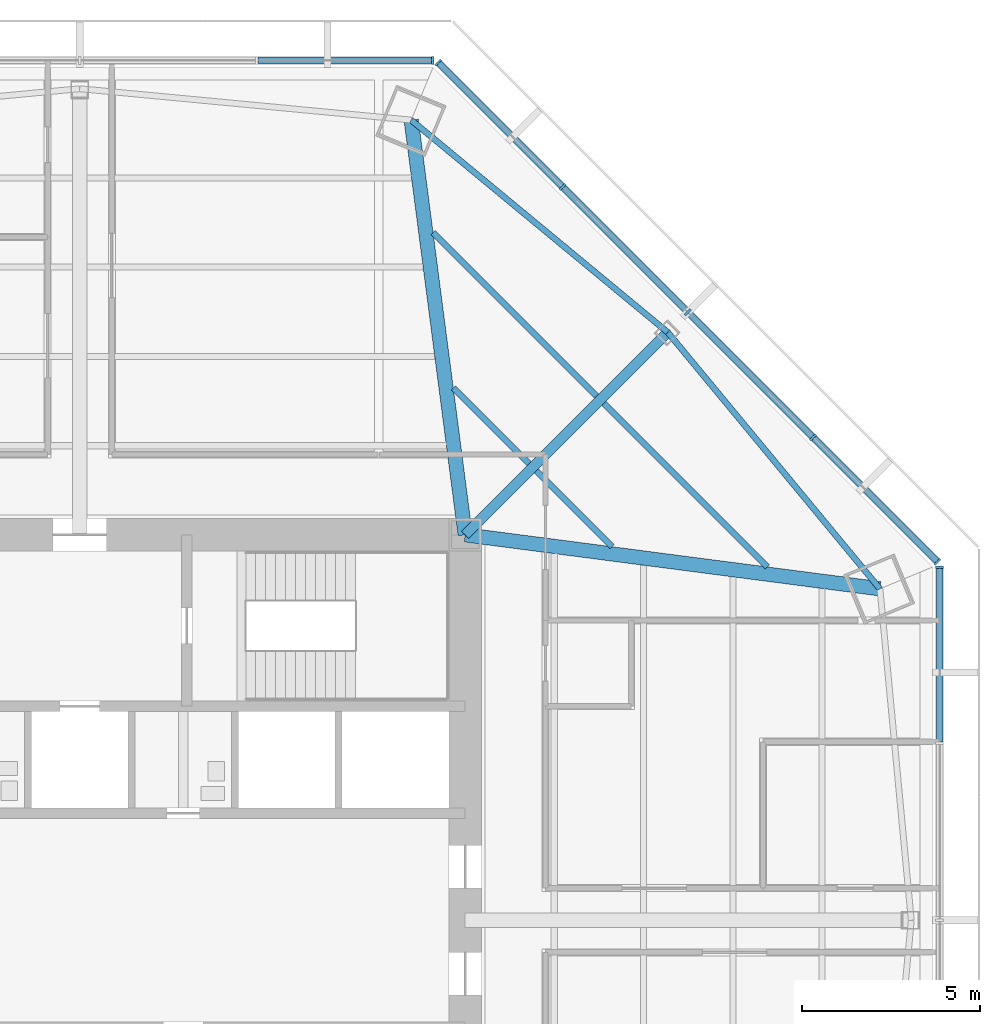
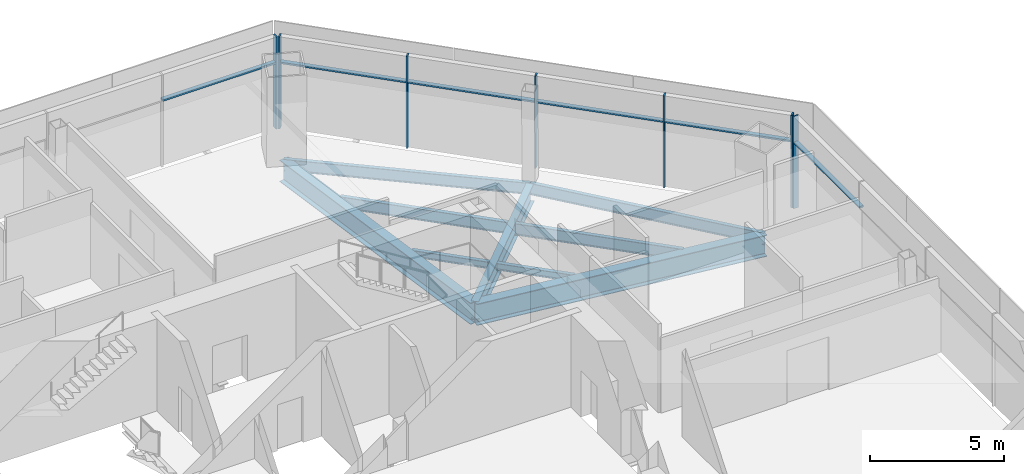
# One storey, part 6 of 14: 13 members, 9 beams, 3 elements without a shape of their own.
"""IFC4 building model written with IfcOpenShell, lengths in metres."""

from ifc_helpers import new_model, si_unit, direction, frame, origin, origin_2d, place, context, subcontext, project, spatial, rectangle, i_section, extrude, source, transform, mapped, material, material_profile, profile_set, type_object, type_shapes, element, aggregate, save


model = new_model("IFC4")

# Units and contexts
model_context = context("Model", 3, precision=1e-05, world=origin(), true_north=direction((0.0, 1.0)))
body_context = subcontext(model_context, "Body", "Model", "MODEL_VIEW")
ifc_project = project(units=[si_unit("LENGTHUNIT", "METRE"), si_unit("AREAUNIT", "SQUARE_METRE"), si_unit("VOLUMEUNIT", "CUBIC_METRE"), si_unit("PLANEANGLEUNIT", "RADIAN"), si_unit("MASSUNIT", "GRAM", prefix="KILO")], contexts=[model_context])

# Site, building, storey
site_placement = place(None, origin())
site = spatial("IfcSite", under=ifc_project, at=site_placement, CompositionType="ELEMENT")
building_placement = place(site_placement, origin())
building = spatial("IfcBuilding", under=site, at=building_placement, Name="Mashrafa Tower", CompositionType="ELEMENT")
storey_placement = place(building_placement, frame((0.0, 0.0, 138.60009765625)))
storey = spatial("IfcBuildingStorey", under=building, at=storey_placement, Name="L31", CompositionType="ELEMENT", Elevation=138.60009765625)

# Beams
ifc_material_1 = material(Name="Steel ASTM A992", Category="steel")
ifc_material_profile_1 = material_profile(ifc_material_1, i_section(OverallWidth=0.164794921875, OverallDepth=0.309814453125, WebThickness=0.005859375, FlangeThickness=0.009765625, FilletRadius=0.007568359375, at=origin_2d()), Name="W12X26")
ifc_profile_set_1 = profile_set([ifc_material_profile_1], Name="Steel ASTM A992")
beam_type_1 = type_object("IfcBeamType", Name="Beam W12X26", PredefinedType="BEAM", material=ifc_profile_set_1)
for number, where, z_axis, x_axis, name in (
    (1, (10.46630859375, 14.916748046875, -0.320068359375), (0.707106781187, -0.707106781187, 0.0), (0.707106781187, 0.707106781187, 0.0), "Floor beam L31 033"),
    (2, (12.794921875, 12.588134765625, -0.320068359375), (0.707106781187, -0.707106781187, 0.0), (0.707106781187, 0.707106781187, 0.0), "Floor beam L31 036"),
):
    element("IfcBeam", number, at=place(storey_placement, frame(where, z_axis=z_axis, x_axis=x_axis)), inside=storey, type_object=beam_type_1, Name=name, PredefinedType="BEAM", context=body_context, shape_type="SweptSolid", body=[
        extrude(i_section(OverallWidth=0.164794921875, OverallDepth=0.309814453125, WebThickness=0.005859375, FlangeThickness=0.009765625, FilletRadius=0.007568359375, at=origin_2d()), origin(), (0.0, 0.0, 1.0), 3.000732421875),
    ])
ifc_material_2 = material(Name="Steel ASTM A992", Category="steel")
ifc_material_profile_2 = material_profile(ifc_material_2, i_section(OverallWidth=0.1650390625, OverallDepth=0.52587890625, WebThickness=0.0087890625, FlangeThickness=0.011474609375, FilletRadius=0.0126953125, at=origin_2d()), Name="W21X44")
ifc_profile_set_2 = profile_set([ifc_material_profile_2], Name="Steel ASTM A992")
beam_type_2 = type_object("IfcBeamType", Name="Beam W21X44", PredefinedType="BEAM", material=ifc_profile_set_2)
for number, where, z_axis, x_axis, name in (
    (3, (9.89990234375, 19.266357421875, -0.427978515625), (0.707087934304, -0.707125627567, 0.0), (0.707125627567, 0.707087934304, 0.0), "Floor beam L31 030"),
    (4, (14.686279296875, 14.479736328125, -0.427978515625), (0.707125627567, -0.707087934304, 0.0), (0.707087934304, 0.707125627567, 0.0), "Floor beam L31 040"),
):
    element("IfcBeam", number, at=place(storey_placement, frame(where, z_axis=z_axis, x_axis=x_axis)), inside=storey, type_object=beam_type_2, Name=name, PredefinedType="BEAM", context=body_context, shape_type="SweptSolid", body=[
        extrude(i_section(OverallWidth=0.1650390625, OverallDepth=0.52587890625, WebThickness=0.0087890625, FlangeThickness=0.011474609375, FilletRadius=0.0126953125, at=origin_2d()), origin(), (0.0, 0.0, 1.0), 6.47705078125),
    ])
for number, where, z_axis, x_axis, name in (
    (5, (16.474609375, 16.474609375, -0.427978515625), (-0.770535266379, 0.637397366849, 0.0), (-0.637397366849, -0.770535266379, 0.0), "Spandrel beam L31 077"),
    (6, (22.42041015625, 9.286865234375, -0.427978515625), (-0.637397366849, 0.770535266379, 0.0), (-0.770535266379, -0.637397366849, 0.0), "Spandrel beam L31 079"),
):
    element("IfcBeam", number, at=place(storey_placement, frame(where, z_axis=z_axis, x_axis=x_axis)), inside=storey, type_object=beam_type_2, Name=name, PredefinedType="BEAM", context=body_context, shape_type="SweptSolid", body=[
        extrude(i_section(OverallWidth=0.1650390625, OverallDepth=0.52587890625, WebThickness=0.0087890625, FlangeThickness=0.011474609375, FilletRadius=0.0126953125, at=origin_2d()), origin(), (0.0, 0.0, 1.0), 9.328369140625),
    ])
ifc_material_3 = material(Name="Steel ASTM A992", Category="steel")
ifc_material_profile_3 = material_profile(ifc_material_3, i_section(OverallWidth=0.2919921875, OverallDepth=0.8408203125, WebThickness=0.0146484375, FlangeThickness=0.021728515625, FilletRadius=0.017333984375, at=origin_2d()), Name="W33X130")
ifc_profile_set_3 = profile_set([ifc_material_profile_3], Name="Steel ASTM A992")
beam_type_3 = type_object("IfcBeamType", Name="Beam W33X130", PredefinedType="BEAM", material=ifc_profile_set_3)
beam_placement = place(storey_placement, frame((10.800048828125, 10.800048828125, -0.58544921875), z_axis=(0.707106781187, 0.707106781187, 0.0), x_axis=(-0.707106781187, 0.707106781187, 0.0)))
element("IfcBeam", 7, at=beam_placement, inside=storey, type_object=beam_type_3, Name="Radial girder L31 063", PredefinedType="BEAM", context=body_context, shape_type="SweptSolid", body=[
    extrude(i_section(OverallWidth=0.2919921875, OverallDepth=0.8408203125, WebThickness=0.0146484375, FlangeThickness=0.021728515625, FilletRadius=0.017333984375, at=origin_2d()), origin(), (0.0, 0.0, 1.0), 8.025146484375),
])
ifc_material_4 = material(Name="Steel ASTM A992", Category="steel")
ifc_material_profile_4 = material_profile(ifc_material_4, i_section(OverallWidth=0.4013671875, OverallDepth=0.98291015625, WebThickness=0.0166015625, FlangeThickness=0.027099609375, FilletRadius=0.0126953125, at=origin_2d()), Name="W40X199")
ifc_profile_set_4 = profile_set([ifc_material_profile_4], Name="Steel ASTM A992")
beam_type_4 = type_object("IfcBeamType", Name="Beam W40X199", PredefinedType="BEAM", material=ifc_profile_set_4)
for number, where, z_axis, x_axis, name in (
    (8, (10.800048828125, 10.800048828125, -0.656494140625), (-0.129128093367, 0.991627921906, 0.0), (-0.991627921906, -0.129128093367, 0.0), "Radial girder L31 062"),
    (9, (10.800048828125, 10.800048828125, -0.656494140625), (0.991627921906, -0.129128093367, 0.0), (0.129128093367, 0.991627921906, 0.0), "Radial girder L31 064"),
):
    element("IfcBeam", number, at=place(storey_placement, frame(where, z_axis=z_axis, x_axis=x_axis)), inside=storey, type_object=beam_type_4, Name=name, PredefinedType="BEAM", context=body_context, shape_type="SweptSolid", body=[
        extrude(i_section(OverallWidth=0.4013671875, OverallDepth=0.98291015625, WebThickness=0.0166015625, FlangeThickness=0.027099609375, FilletRadius=0.0126953125, at=origin_2d()), origin(), (0.0, 0.0, 1.0), 11.718505859375),
    ])

# Curtain wall, member
ifc_material_5 = material(Name="Unitised aluminium curtain wall", Category="aluminium")
curtain_wall_type = type_object("IfcCurtainWallType", Name="Office curtain wall, zone 2 CW-B 225 deep", PredefinedType="NOTDEFINED", material=ifc_material_5)
curtain_wall_1_placement = place(storey_placement, origin())
curtain_wall_1 = element("IfcCurtainWall", 10, at=curtain_wall_1_placement, inside=storey, type_object=curtain_wall_type, Name="Office curtain wall, zone 2 L31 east", PredefinedType="NOTDEFINED")
ifc_material_6 = material(Name="Extruded aluminium mullion", Category="aluminium")
ifc_material_profile_5 = material_profile(ifc_material_6, rectangle(XDim=0.22509765625, YDim=0.06494140625, at=origin_2d()), Name="Mullion 65x225")
ifc_profile_set_5 = profile_set([ifc_material_profile_5], Name="Extruded aluminium mullion")
member_type_1 = type_object("IfcMemberType", Name="Mullion CW-B 65 x 225", PredefinedType="MULLION", material=ifc_profile_set_5)
shared_shape_1 = source(origin(), body_context, "Body", "SweptSolid", [
    extrude(rectangle(XDim=0.22509765625, YDim=0.06494140625, at=origin_2d()), origin(), (0.0, 0.0, 1.0), 4.199951171875),
])
type_shapes(member_type_1, [shared_shape_1])
member_1_placement = place(storey_placement, frame((24.093994140625, 9.890869140625, 0.0), z_axis=(0.0, 0.0, 1.0), x_axis=(-1.0, 0.0, 0.0)))
member_1 = element("IfcMember", 11, at=member_1_placement, type_object=member_type_1, Name="CW-B mullion 5", PredefinedType="MULLION", context=body_context, shape_type="MappedRepresentation", body=[
    mapped(shared_shape_1, transform((0.0, 0.0, 0.0))),
])

# Curtain wall, members
curtain_wall_2_placement = place(storey_placement, origin())
curtain_wall_2 = element("IfcCurtainWall", 12, at=curtain_wall_2_placement, inside=storey, type_object=curtain_wall_type, Name="Office curtain wall, zone 2 L31 north-east", PredefinedType="NOTDEFINED")
member_2_placement = place(storey_placement, frame((24.031005859375, 10.04296875, 0.0), z_axis=(0.0, 0.0, 1.0), x_axis=(-0.707106781187, -0.707106781187, 0.0)))
member_2 = element("IfcMember", 13, at=member_2_placement, type_object=member_type_1, Name="CW-B mullion 1", PredefinedType="MULLION", context=body_context, shape_type="MappedRepresentation", body=[
    mapped(shared_shape_1, transform((0.0, 0.0, 0.0))),
])
member_3_placement = place(storey_placement, frame((20.54541015625, 13.528564453125, 0.0), z_axis=(0.0, 0.0, 1.0), x_axis=(-0.707106781187, -0.707106781187, 0.0)))
member_3 = element("IfcMember", 14, at=member_3_placement, type_object=member_type_1, Name="CW-B mullion 2", PredefinedType="MULLION", context=body_context, shape_type="MappedRepresentation", body=[
    mapped(shared_shape_1, transform((0.0, 0.0, 0.0))),
])
member_4_placement = place(storey_placement, frame((17.036865234375, 17.036865234375, 0.0), z_axis=(0.0, 0.0, 1.0), x_axis=(-0.707106781187, -0.707106781187, 0.0)))
member_4 = element("IfcMember", 15, at=member_4_placement, type_object=member_type_1, Name="CW-B mullion 3", PredefinedType="MULLION", context=body_context, shape_type="MappedRepresentation", body=[
    mapped(shared_shape_1, transform((0.0, 0.0, 0.0))),
])
member_5_placement = place(storey_placement, frame((13.528564453125, 20.54541015625, 0.0), z_axis=(0.0, 0.0, 1.0), x_axis=(-0.707106781187, -0.707106781187, 0.0)))
member_5 = element("IfcMember", 16, at=member_5_placement, type_object=member_type_1, Name="CW-B mullion 4", PredefinedType="MULLION", context=body_context, shape_type="MappedRepresentation", body=[
    mapped(shared_shape_1, transform((0.0, 0.0, 0.0))),
])
member_6_placement = place(storey_placement, frame((10.04296875, 24.031005859375, 0.0), z_axis=(0.0, 0.0, 1.0), x_axis=(-0.707106781187, -0.707106781187, 0.0)))
member_6 = element("IfcMember", 17, at=member_6_placement, type_object=member_type_1, Name="CW-B mullion 5", PredefinedType="MULLION", context=body_context, shape_type="MappedRepresentation", body=[
    mapped(shared_shape_1, transform((0.0, 0.0, 0.0))),
])

# Curtain wall, member
curtain_wall_3_placement = place(storey_placement, origin())
curtain_wall_3 = element("IfcCurtainWall", 18, at=curtain_wall_3_placement, inside=storey, type_object=curtain_wall_type, Name="Office curtain wall, zone 2 L31 north", PredefinedType="NOTDEFINED")
member_7_placement = place(storey_placement, frame((9.890869140625, 24.093994140625, 0.0), z_axis=(0.0, 0.0, 1.0), x_axis=(0.0, -1.0, 0.0)))
member_7 = element("IfcMember", 19, at=member_7_placement, type_object=member_type_1, Name="CW-B mullion 1", PredefinedType="MULLION", context=body_context, shape_type="MappedRepresentation", body=[
    mapped(shared_shape_1, transform((0.0, 0.0, 0.0))),
])

# Member
ifc_material_7 = material(Name="Extruded aluminium transom", Category="aluminium")
ifc_material_profile_6 = material_profile(ifc_material_7, rectangle(XDim=0.179931640625, YDim=0.080078125, at=origin_2d()), Name="Transom 80x180")
ifc_profile_set_6 = profile_set([ifc_material_profile_6], Name="Extruded aluminium transom")
member_type_2 = type_object("IfcMemberType", Name="Transom CW-B 80 x 180", PredefinedType="MULLION", material=ifc_profile_set_6)
shared_shape_2 = source(origin(), body_context, "Body", "SweptSolid", [
    extrude(rectangle(XDim=0.179931640625, YDim=0.080078125, at=origin_2d()), origin(), (0.0, 0.0, 1.0), 4.8642578125),
])
member_8_placement = place(storey_placement, frame((24.093994140625, 4.994140625, 3.0), z_axis=(0.0, 1.0, 0.0), x_axis=(-1.0, 0.0, 0.0)))
member_8 = element("IfcMember", 20, at=member_8_placement, type_object=member_type_2, Name="CW-B transom 4", PredefinedType="MULLION", context=body_context, shape_type="MappedRepresentation", body=[
    mapped(shared_shape_2, transform((0.0, 0.0, 0.0))),
])

aggregate(curtain_wall_1, [member_1, member_8])

member_9_placement = place(storey_placement, frame((24.0078125, 10.06591796875, 3.0), z_axis=(-0.707081685565, 0.707131875917, 0.0), x_axis=(-0.707131875917, -0.707081685565, 0.0)))
member_9 = element("IfcMember", 21, at=member_9_placement, type_object=member_type_2, Name="CW-B transom 1", PredefinedType="MULLION", context=body_context, shape_type="MappedRepresentation", body=[
    mapped(shared_shape_2, transform((0.0, 0.0, 0.0))),
])

member_10_placement = place(storey_placement, frame((13.505615234375, 20.568359375, 3.0), z_axis=(-0.707131875917, 0.707081685565, 0.0), x_axis=(-0.707081685565, -0.707131875917, 0.0)))
member_10 = element("IfcMember", 22, at=member_10_placement, type_object=member_type_2, Name="CW-B transom 4", PredefinedType="MULLION", context=body_context, shape_type="MappedRepresentation", body=[
    mapped(shared_shape_2, transform((0.0, 0.0, 0.0))),
])

member_11_placement = place(storey_placement, frame((9.8583984375, 24.093994140625, 3.0), z_axis=(-1.0, 0.0, 0.0), x_axis=(0.0, -1.0, 0.0)))
member_11 = element("IfcMember", 23, at=member_11_placement, type_object=member_type_2, Name="CW-B transom 1", PredefinedType="MULLION", context=body_context, shape_type="MappedRepresentation", body=[
    mapped(shared_shape_2, transform((0.0, 0.0, 0.0))),
])

aggregate(curtain_wall_3, [member_7, member_11])

shared_shape_3 = source(origin(), body_context, "Body", "SweptSolid", [
    extrude(rectangle(XDim=0.179931640625, YDim=0.080078125, at=origin_2d()), origin(), (0.0, 0.0, 1.0), 4.896484375),
])
type_shapes(member_type_2, [shared_shape_2, shared_shape_3])
member_12_placement = place(storey_placement, frame((20.5224609375, 13.551513671875, 3.0), z_axis=(-0.707106781187, 0.707106781187, 0.0), x_axis=(-0.707106781187, -0.707106781187, 0.0)))
member_12 = element("IfcMember", 24, at=member_12_placement, type_object=member_type_2, Name="CW-B transom 2", PredefinedType="MULLION", context=body_context, shape_type="MappedRepresentation", body=[
    mapped(shared_shape_3, transform((0.0, 0.0, 0.0))),
])

member_13_placement = place(storey_placement, frame((17.013916015625, 17.06005859375, 3.0), z_axis=(-0.707106781187, 0.707106781187, 0.0), x_axis=(-0.707106781187, -0.707106781187, 0.0)))
member_13 = element("IfcMember", 25, at=member_13_placement, type_object=member_type_2, Name="CW-B transom 3", PredefinedType="MULLION", context=body_context, shape_type="MappedRepresentation", body=[
    mapped(shared_shape_3, transform((0.0, 0.0, 0.0))),
])

aggregate(curtain_wall_2, [member_2, member_3, member_4, member_5, member_6, member_9, member_12, member_13, member_10])

save(model, "model.ifc")
